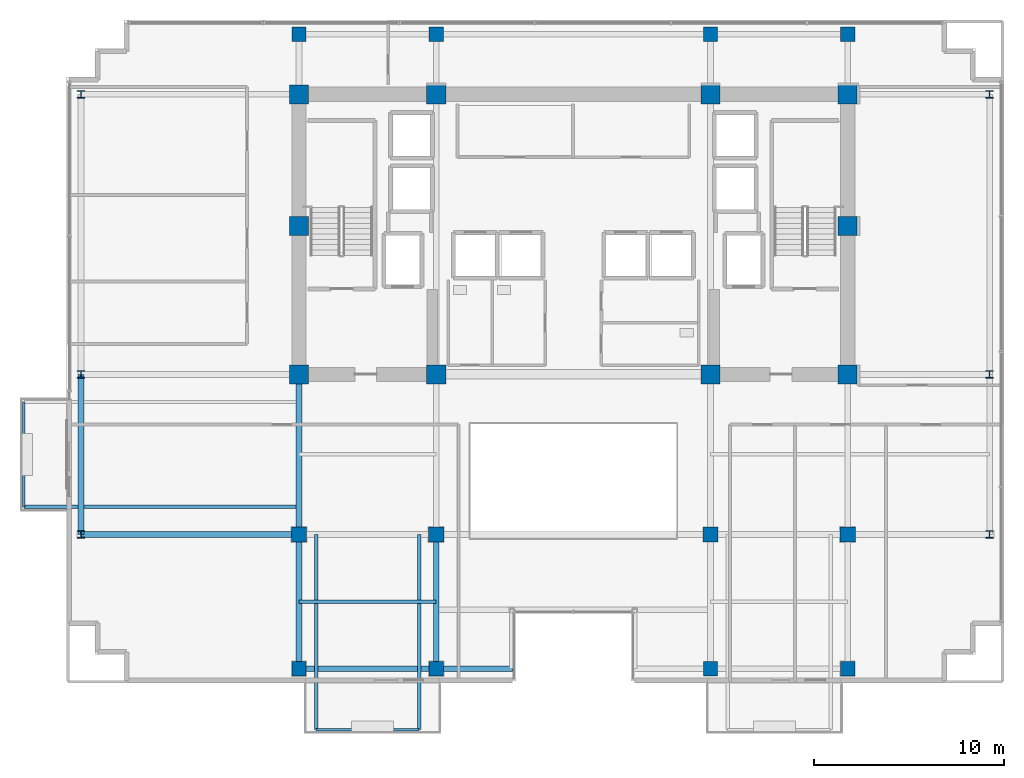
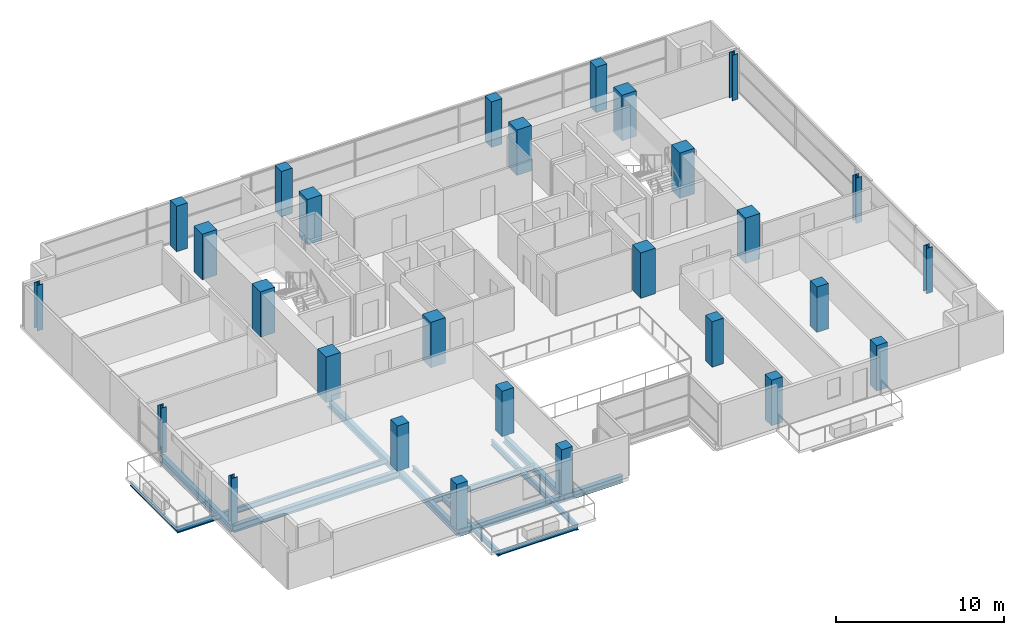
# One storey, part 1 of 21: 28 columns, 13 beams.
"""IFC4 building model written with IfcOpenShell, lengths in metres."""

from ifc_helpers import new_model, si_unit, direction, frame, origin, origin_2d, place, context, subcontext, project, spatial, rectangle, i_section, extrude, material, material_profile, profile_set, type_object, element, save


model = new_model("IFC4")

# Units and contexts
model_context = context("Model", 3, precision=1e-05, world=origin(), true_north=direction((0.0, 1.0)))
body_context = subcontext(model_context, "Body", "Model", "MODEL_VIEW")
ifc_project = project(units=[si_unit("LENGTHUNIT", "METRE"), si_unit("AREAUNIT", "SQUARE_METRE"), si_unit("VOLUMEUNIT", "CUBIC_METRE"), si_unit("PLANEANGLEUNIT", "RADIAN"), si_unit("MASSUNIT", "GRAM", prefix="KILO")], contexts=[model_context])

# Site, building, storey
site_placement = place(None, origin())
site = spatial("IfcSite", under=ifc_project, at=site_placement, CompositionType="ELEMENT")
building_placement = place(site_placement, origin())
building = spatial("IfcBuilding", under=site, at=building_placement, Name="Zarnakvel Exchange Tower", CompositionType="ELEMENT")
storey_placement = place(building_placement, frame((0.0, 0.0, 152.800048828125)))
storey = spatial("IfcBuildingStorey", under=building, at=storey_placement, Name="L42", CompositionType="ELEMENT", Elevation=152.800048828125)

# Columns
ifc_material_1 = material(Name="Concrete C60/75", Category="concrete")
ifc_material_profile_1 = material_profile(ifc_material_1, rectangle(XDim=1.0, YDim=1.0, at=origin_2d()))
ifc_profile_set_1 = profile_set([ifc_material_profile_1], Name="Concrete C60/75")
column_type_1 = type_object("IfcColumnType", Name="CC-02", PredefinedType="COLUMN", material=ifc_profile_set_1)
for number, where, z_axis, x_axis, name in (
    (1, (-14.39990234375, -1.199951171875, 0.0), (0.0, 0.0, 1.0), (1.0, 0.0, 0.0), "L42 Column C-4D (CC-02)"),
    (2, (-7.199951171875, -1.199951171875, 0.0), (0.0, 0.0, 1.0), (1.0, 0.0, 0.0), "L42 Column C-5D (CC-02)"),
    (3, (7.199951171875, -1.199951171875, 0.0), (0.0, 0.0, 1.0), (1.0, 0.0, 0.0), "L42 Column C-8D (CC-02)"),
    (4, (14.39990234375, -1.199951171875, 0.0), (0.0, 0.0, 1.0), (1.0, 0.0, 0.0), "L42 Column C-9D (CC-02)"),
    (5, (-14.39990234375, 6.60009765625, 0.0), (0.0, 0.0, 1.0), (1.0, 0.0, 0.0), "L42 Column C-4E (CC-02)"),
    (6, (14.39990234375, 6.60009765625, 0.0), (0.0, 0.0, 1.0), (1.0, 0.0, 0.0), "L42 Column C-9E (CC-02)"),
    (7, (-14.39990234375, 13.5, 0.0), (0.0, 0.0, 1.0), (1.0, 0.0, 0.0), "L42 Column C-4F (CC-02)"),
    (8, (-7.199951171875, 13.5, 0.0), (0.0, 0.0, 1.0), (1.0, 0.0, 0.0), "L42 Column C-5F (CC-02)"),
    (9, (7.199951171875, 13.5, 0.0), (0.0, 0.0, 1.0), (1.0, 0.0, 0.0), "L42 Column C-8F (CC-02)"),
    (10, (14.39990234375, 13.5, 0.0), (0.0, 0.0, 1.0), (1.0, 0.0, 0.0), "L42 Column C-9F (CC-02)"),
):
    element("IfcColumn", number, at=place(storey_placement, frame(where, z_axis=z_axis, x_axis=x_axis)), inside=storey, type_object=column_type_1, Name=name, PredefinedType="COLUMN", context=body_context, shape_type="SweptSolid", body=[
        extrude(rectangle(XDim=1.0, YDim=1.0, at=origin_2d()), origin(), (0.0, 0.0, 1.0), 3.300048828125),
    ])
ifc_material_2 = material(Name="Steel S355", Category="steel")
ifc_material_profile_2 = material_profile(ifc_material_2, i_section(OverallWidth=0.39892578125, OverallDepth=0.3935546875, WebThickness=0.022705078125, FlangeThickness=0.03662109375, FilletRadius=0.01513671875, at=origin_2d()))
ifc_profile_set_2 = profile_set([ifc_material_profile_2], Name="Steel S355")
column_type_2 = type_object("IfcColumnType", Name="SC-04", PredefinedType="COLUMN", material=ifc_profile_set_2)
for number, where, z_axis, x_axis, name in (
    (11, (-25.85009765625, -9.60009765625, 0.0), (0.0, 0.0, 1.0), (1.0, 0.0, 0.0), "L42 Column TW-C (SC-04)"),
    (12, (21.85009765625, -9.60009765625, 0.0), (0.0, 0.0, 1.0), (1.0, 0.0, 0.0), "L42 Column TE-C (SC-04)"),
    (13, (-25.85009765625, -1.199951171875, 0.0), (0.0, 0.0, 1.0), (1.0, 0.0, 0.0), "L42 Column TW-D (SC-04)"),
    (14, (21.85009765625, -1.199951171875, 0.0), (0.0, 0.0, 1.0), (1.0, 0.0, 0.0), "L42 Column TE-D (SC-04)"),
    (15, (-25.85009765625, 13.5, 0.0), (0.0, 0.0, 1.0), (1.0, 0.0, 0.0), "L42 Column TW-F (SC-04)"),
    (16, (21.85009765625, 13.5, 0.0), (0.0, 0.0, 1.0), (1.0, 0.0, 0.0), "L42 Column TE-F (SC-04)"),
):
    element("IfcColumn", number, at=place(storey_placement, frame(where, z_axis=z_axis, x_axis=x_axis)), inside=storey, type_object=column_type_2, Name=name, PredefinedType="COLUMN", context=body_context, shape_type="SweptSolid", body=[
        extrude(i_section(OverallWidth=0.39892578125, OverallDepth=0.3935546875, WebThickness=0.022705078125, FlangeThickness=0.03662109375, FilletRadius=0.01513671875, at=origin_2d()), origin(), (0.0, 0.0, 1.0), 3.300048828125),
    ])
ifc_material_profile_3 = material_profile(ifc_material_1, rectangle(XDim=0.800048828125, YDim=0.800048828125, at=origin_2d()))
ifc_profile_set_3 = profile_set([ifc_material_profile_3], Name="Concrete C60/75")
column_type_3 = type_object("IfcColumnType", Name="TC-03", PredefinedType="COLUMN", material=ifc_profile_set_3)
for number, where, z_axis, x_axis, name in (
    (17, (-14.39990234375, -9.60009765625, 0.0), (0.0, 0.0, 1.0), (1.0, 0.0, 0.0), "L42 Column T-4C (TC-03)"),
    (18, (-7.199951171875, -9.60009765625, 0.0), (0.0, 0.0, 1.0), (1.0, 0.0, 0.0), "L42 Column T-5C (TC-03)"),
    (19, (7.199951171875, -9.60009765625, 0.0), (0.0, 0.0, 1.0), (1.0, 0.0, 0.0), "L42 Column T-8C (TC-03)"),
    (20, (14.39990234375, -9.60009765625, 0.0), (0.0, 0.0, 1.0), (1.0, 0.0, 0.0), "L42 Column T-9C (TC-03)"),
):
    element("IfcColumn", number, at=place(storey_placement, frame(where, z_axis=z_axis, x_axis=x_axis)), inside=storey, type_object=column_type_3, Name=name, PredefinedType="COLUMN", context=body_context, shape_type="SweptSolid", body=[
        extrude(rectangle(XDim=0.800048828125, YDim=0.800048828125, at=origin_2d()), origin(), (0.0, 0.0, 1.0), 3.300048828125),
    ])
ifc_material_3 = material(Name="Concrete C50/60", Category="concrete")
ifc_material_profile_4 = material_profile(ifc_material_3, rectangle(XDim=0.75, YDim=0.75, at=origin_2d()))
ifc_profile_set_4 = profile_set([ifc_material_profile_4], Name="Concrete C50/60")
column_type_4 = type_object("IfcColumnType", Name="TC-04", PredefinedType="COLUMN", material=ifc_profile_set_4)
for number, where, z_axis, x_axis, name in (
    (21, (-14.39990234375, -16.64990234375, 0.0), (0.0, 0.0, 1.0), (1.0, 0.0, 0.0), "L42 Column TS-4 (TC-04)"),
    (22, (-14.39990234375, 16.64990234375, 0.0), (0.0, 0.0, 1.0), (1.0, 0.0, 0.0), "L42 Column TN-4 (TC-04)"),
    (23, (-7.199951171875, -16.64990234375, 0.0), (0.0, 0.0, 1.0), (1.0, 0.0, 0.0), "L42 Column TS-5 (TC-04)"),
    (24, (-7.199951171875, 16.64990234375, 0.0), (0.0, 0.0, 1.0), (1.0, 0.0, 0.0), "L42 Column TN-5 (TC-04)"),
    (25, (7.199951171875, -16.64990234375, 0.0), (0.0, 0.0, 1.0), (1.0, 0.0, 0.0), "L42 Column TS-8 (TC-04)"),
    (26, (7.199951171875, 16.64990234375, 0.0), (0.0, 0.0, 1.0), (1.0, 0.0, 0.0), "L42 Column TN-8 (TC-04)"),
    (27, (14.39990234375, -16.64990234375, 0.0), (0.0, 0.0, 1.0), (1.0, 0.0, 0.0), "L42 Column TS-9 (TC-04)"),
    (28, (14.39990234375, 16.64990234375, 0.0), (0.0, 0.0, 1.0), (1.0, 0.0, 0.0), "L42 Column TN-9 (TC-04)"),
):
    element("IfcColumn", number, at=place(storey_placement, frame(where, z_axis=z_axis, x_axis=x_axis)), inside=storey, type_object=column_type_4, Name=name, PredefinedType="COLUMN", context=body_context, shape_type="SweptSolid", body=[
        extrude(rectangle(XDim=0.75, YDim=0.75, at=origin_2d()), origin(), (0.0, 0.0, 1.0), 3.300048828125),
    ])

# Beams
ifc_material_profile_5 = material_profile(ifc_material_2, i_section(OverallWidth=0.179931640625, OverallDepth=0.39990234375, WebThickness=0.008544921875, FlangeThickness=0.013427734375, FilletRadius=0.02099609375, at=origin_2d()))
ifc_profile_set_5 = profile_set([ifc_material_profile_5], Name="Steel S355")
beam_type_1 = type_object("IfcBeamType", Name="B-06", PredefinedType="JOIST", material=ifc_profile_set_5)
beam_1_placement = place(storey_placement, frame((-14.39990234375, -13.125, -0.425048828125), z_axis=(1.0, 0.0, 0.0), x_axis=(0.0, 1.0, 0.0)))
element("IfcBeam", 29, at=beam_1_placement, inside=storey, type_object=beam_type_1, Name="L42 Composite Floor Secondary Joist", PredefinedType="JOIST", context=body_context, shape_type="SweptSolid", body=[
    extrude(i_section(OverallWidth=0.179931640625, OverallDepth=0.39990234375, WebThickness=0.008544921875, FlangeThickness=0.013427734375, FilletRadius=0.02099609375, at=origin_2d()), origin(), (0.0, 0.0, 1.0), 7.199951171875),
])
for number, where, z_axis, x_axis, name in (
    (30, (-13.5, -9.60009765625, -0.425048828125), (0.0, -1.0, 0.0), (1.0, 0.0, 0.0), "L42 Continuous Back-Spanned Balcony Beam W"),
    (31, (-8.10009765625, -9.60009765625, -0.425048828125), (0.0, -1.0, 0.0), (1.0, 0.0, 0.0), "L42 Continuous Back-Spanned Balcony Beam E"),
):
    element("IfcBeam", number, at=place(storey_placement, frame(where, z_axis=z_axis, x_axis=x_axis)), inside=storey, type_object=beam_type_1, Name=name, PredefinedType="JOIST", context=body_context, shape_type="SweptSolid", body=[
        extrude(i_section(OverallWidth=0.179931640625, OverallDepth=0.39990234375, WebThickness=0.008544921875, FlangeThickness=0.013427734375, FilletRadius=0.02099609375, at=origin_2d()), origin(), (0.0, 0.0, 1.0), 10.25),
    ])
beam_2_placement = place(storey_placement, frame((-14.39990234375, -8.14990234375, -0.425048828125), z_axis=(-1.0, 0.0, 0.0), x_axis=(0.0, -1.0, 0.0)))
element("IfcBeam", 32, at=beam_2_placement, inside=storey, type_object=beam_type_1, Name="L42 Continuous West Loggia Beam S", PredefinedType="JOIST", context=body_context, shape_type="SweptSolid", body=[
    extrude(i_section(OverallWidth=0.179931640625, OverallDepth=0.39990234375, WebThickness=0.008544921875, FlangeThickness=0.013427734375, FilletRadius=0.02099609375, at=origin_2d()), origin(), (0.0, 0.0, 1.0), 14.4501953125),
])
ifc_material_profile_6 = material_profile(ifc_material_2, i_section(OverallWidth=0.14990234375, OverallDepth=0.300048828125, WebThickness=0.007080078125, FlangeThickness=0.0107421875, FilletRadius=0.014892578125, at=origin_2d()))
ifc_profile_set_6 = profile_set([ifc_material_profile_6], Name="Steel S355")
beam_type_2 = type_object("IfcBeamType", Name="B-08", PredefinedType="JOIST", material=ifc_profile_set_6)
beam_3_placement = place(storey_placement, frame((-13.5, -19.85009765625, -0.375), z_axis=(1.0, 0.0, 0.0), x_axis=(0.0, 1.0, 0.0)))
element("IfcBeam", 33, at=beam_3_placement, inside=storey, type_object=beam_type_2, Name="L42 Balcony Edge Beam", PredefinedType="JOIST", context=body_context, shape_type="SweptSolid", body=[
    extrude(i_section(OverallWidth=0.14990234375, OverallDepth=0.300048828125, WebThickness=0.007080078125, FlangeThickness=0.0107421875, FilletRadius=0.014892578125, at=origin_2d()), origin(), (0.0, 0.0, 1.0), 5.39990234375),
])
beam_4_placement = place(storey_placement, frame((-28.85009765625, -8.14990234375, -0.375), z_axis=(0.0, 1.0, 0.0), x_axis=(-1.0, 0.0, 0.0)))
element("IfcBeam", 34, at=beam_4_placement, inside=storey, type_object=beam_type_2, Name="L42 West Loggia Edge Beam", PredefinedType="JOIST", context=body_context, shape_type="SweptSolid", body=[
    extrude(i_section(OverallWidth=0.14990234375, OverallDepth=0.300048828125, WebThickness=0.007080078125, FlangeThickness=0.0107421875, FilletRadius=0.014892578125, at=origin_2d()), origin(), (0.0, 0.0, 1.0), 5.5),
])
ifc_material_profile_7 = material_profile(ifc_material_2, i_section(OverallWidth=0.300048828125, OverallDepth=0.5, WebThickness=0.014404296875, FlangeThickness=0.028076171875, FilletRadius=0.027099609375, at=origin_2d()))
ifc_profile_set_7 = profile_set([ifc_material_profile_7], Name="Steel S355")
beam_type_3 = type_object("IfcBeamType", Name="G-06", PredefinedType="BEAM", material=ifc_profile_set_7)
beam_5_placement = place(storey_placement, frame((-25.85009765625, -9.60009765625, -0.47509765625), z_axis=(1.0, 0.0, 0.0), x_axis=(0.0, 1.0, 0.0)))
element("IfcBeam", 35, at=beam_5_placement, inside=storey, type_object=beam_type_3, Name="L42 Tower E-W Frame Beam", PredefinedType="BEAM", context=body_context, shape_type="SweptSolid", body=[
    extrude(i_section(OverallWidth=0.300048828125, OverallDepth=0.5, WebThickness=0.014404296875, FlangeThickness=0.028076171875, FilletRadius=0.027099609375, at=origin_2d()), origin(), (0.0, 0.0, 1.0), 11.4501953125),
])
beam_6_placement = place(storey_placement, frame((-14.39990234375, -16.64990234375, -0.47509765625), z_axis=(0.0, 1.0, 0.0), x_axis=(-1.0, 0.0, 0.0)))
element("IfcBeam", 36, at=beam_6_placement, inside=storey, type_object=beam_type_3, Name="L42 Tower N-S Frame Beam", PredefinedType="BEAM", context=body_context, shape_type="SweptSolid", body=[
    extrude(i_section(OverallWidth=0.300048828125, OverallDepth=0.5, WebThickness=0.014404296875, FlangeThickness=0.028076171875, FilletRadius=0.027099609375, at=origin_2d()), origin(), (0.0, 0.0, 1.0), 7.0498046875),
])
beam_7_placement = place(storey_placement, frame((-14.39990234375, -9.60009765625, -0.47509765625), z_axis=(0.0, 1.0, 0.0), x_axis=(-1.0, 0.0, 0.0)))
element("IfcBeam", 37, at=beam_7_placement, inside=storey, type_object=beam_type_3, Name="L42 Tower N-S Frame Beam", PredefinedType="BEAM", context=body_context, shape_type="SweptSolid", body=[
    extrude(i_section(OverallWidth=0.300048828125, OverallDepth=0.5, WebThickness=0.014404296875, FlangeThickness=0.028076171875, FilletRadius=0.027099609375, at=origin_2d()), origin(), (0.0, 0.0, 1.0), 8.400146484375),
])
beam_8_placement = place(storey_placement, frame((-7.199951171875, -16.64990234375, -0.47509765625), z_axis=(0.0, 1.0, 0.0), x_axis=(-1.0, 0.0, 0.0)))
element("IfcBeam", 38, at=beam_8_placement, inside=storey, type_object=beam_type_3, Name="L42 Tower N-S Frame Beam", PredefinedType="BEAM", context=body_context, shape_type="SweptSolid", body=[
    extrude(i_section(OverallWidth=0.300048828125, OverallDepth=0.5, WebThickness=0.014404296875, FlangeThickness=0.028076171875, FilletRadius=0.027099609375, at=origin_2d()), origin(), (0.0, 0.0, 1.0), 7.0498046875),
])
ifc_material_profile_8 = material_profile(ifc_material_2, i_section(OverallWidth=0.300048828125, OverallDepth=0.5, WebThickness=0.014404296875, FlangeThickness=0.028076171875, FilletRadius=0.027099609375, at=origin_2d()))
ifc_profile_set_8 = profile_set([ifc_material_profile_8], Name="Steel S355")
beam_type_4 = type_object("IfcBeamType", Name="SP-02", PredefinedType="SPANDREL", material=ifc_profile_set_8)
beam_9_placement = place(storey_placement, frame((-14.39990234375, -16.64990234375, -0.47509765625), z_axis=(1.0, 0.0, 0.0), x_axis=(0.0, 1.0, 0.0)))
element("IfcBeam", 39, at=beam_9_placement, inside=storey, type_object=beam_type_4, Name="L42 Tower E-W Frame Beam", PredefinedType="SPANDREL", context=body_context, shape_type="SweptSolid", body=[
    extrude(i_section(OverallWidth=0.300048828125, OverallDepth=0.5, WebThickness=0.014404296875, FlangeThickness=0.028076171875, FilletRadius=0.027099609375, at=origin_2d()), origin(), (0.0, 0.0, 1.0), 7.199951171875),
])
beam_10_placement = place(storey_placement, frame((-7.199951171875, -16.64990234375, -0.47509765625), z_axis=(1.0, 0.0, 0.0), x_axis=(0.0, 1.0, 0.0)))
element("IfcBeam", 40, at=beam_10_placement, inside=storey, type_object=beam_type_4, Name="L42 South Slot West Jamb Spandrel", PredefinedType="SPANDREL", context=body_context, shape_type="SweptSolid", body=[
    extrude(i_section(OverallWidth=0.300048828125, OverallDepth=0.5, WebThickness=0.014404296875, FlangeThickness=0.028076171875, FilletRadius=0.027099609375, at=origin_2d()), origin(), (0.0, 0.0, 1.0), 4.0),
])
beam_11_placement = place(storey_placement, frame((-25.85009765625, -9.60009765625, -0.47509765625), z_axis=(0.0, 1.0, 0.0), x_axis=(-1.0, 0.0, 0.0)))
element("IfcBeam", 41, at=beam_11_placement, inside=storey, type_object=beam_type_4, Name="L42 Tower N-S Frame Beam", PredefinedType="SPANDREL", context=body_context, shape_type="SweptSolid", body=[
    extrude(i_section(OverallWidth=0.300048828125, OverallDepth=0.5, WebThickness=0.014404296875, FlangeThickness=0.028076171875, FilletRadius=0.027099609375, at=origin_2d()), origin(), (0.0, 0.0, 1.0), 8.400146484375),
])

save(model, "model.ifc")
